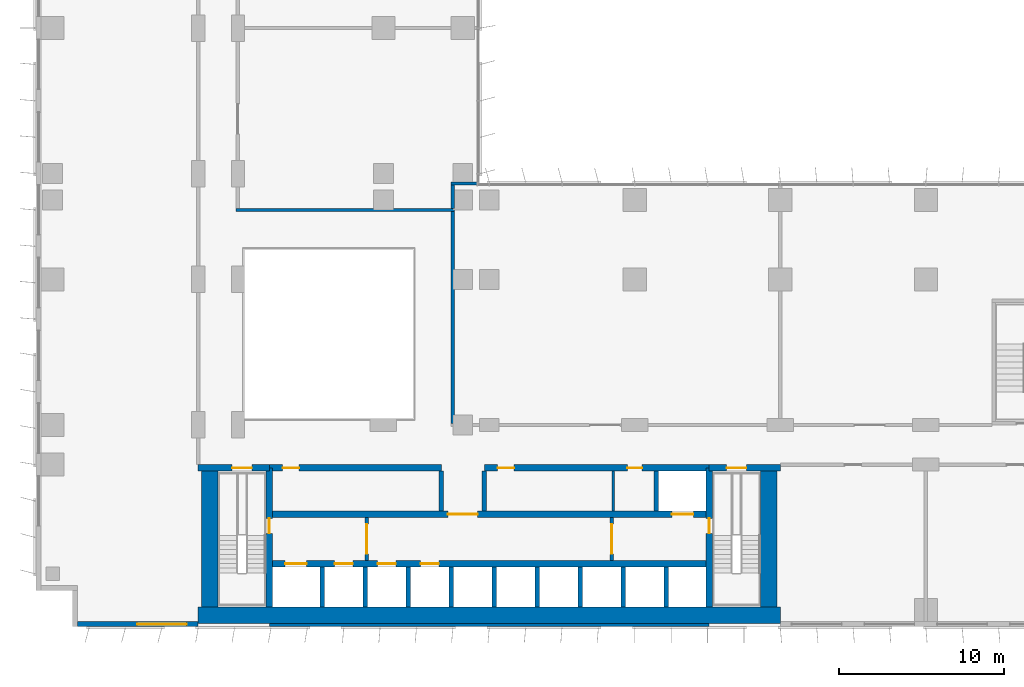
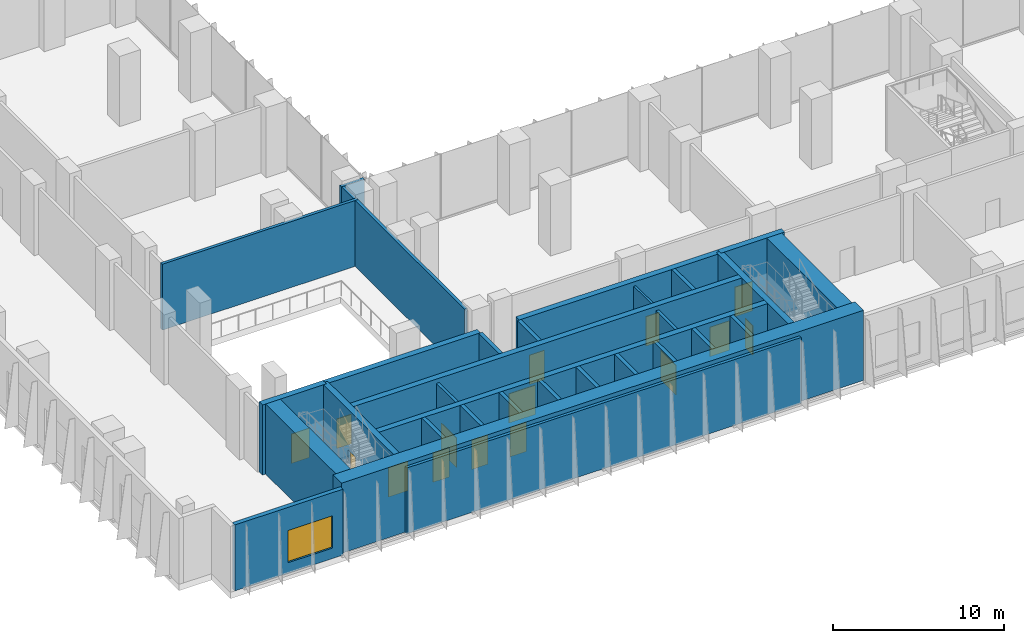
# One storey, part 12 of 23: 32 walls, 15 doors, 1 window, 16 openings.
"""IFC4 building model written with IfcOpenShell, lengths in metres."""

from ifc_helpers import new_model, si_unit, direction, frame, frame_2d, origin, place, context, subcontext, project, spatial, rectangle, extrude, material, layer, layer_set, type_object, element, fill, save


model = new_model("IFC4")

# Units and contexts
model_context = context("Model", 3, precision=1e-05, world=origin(), true_north=direction((0.0, 1.0)))
body_context = subcontext(model_context, "Body", "Model", "MODEL_VIEW")
ifc_project = project(units=[si_unit("LENGTHUNIT", "METRE"), si_unit("AREAUNIT", "SQUARE_METRE"), si_unit("VOLUMEUNIT", "CUBIC_METRE"), si_unit("PLANEANGLEUNIT", "RADIAN"), si_unit("MASSUNIT", "GRAM", prefix="KILO")], contexts=[model_context])

# Site, building, storey
site_placement = place(None, origin())
site = spatial("IfcSite", under=ifc_project, at=site_placement, CompositionType="ELEMENT")
building_placement = place(site_placement, origin())
building = spatial("IfcBuilding", under=site, at=building_placement, Name="Kemantara Hotel Tower", CompositionType="ELEMENT")
storey_placement = place(building_placement, frame((0.0, 0.0, 71.0)))
storey = spatial("IfcBuildingStorey", under=building, at=storey_placement, Name="L16", CompositionType="ELEMENT", Elevation=71.0)

# Wall
ifc_material_1 = material(Name="Bronze anodised aluminium cladding on insulated steel stud wall", Category="steel")
ifc_layer_1 = layer(ifc_material_1, 0.199951171875)
ifc_layer_set_1 = layer_set([ifc_layer_1], Name="Bronze anodised aluminium cladding on insulated steel stud wall")
wall_type_1 = type_object("IfcWallType", Name="BRONZE METAL-CLAD EXTERNAL WALL 200", PredefinedType="STANDARD", material=ifc_layer_set_1)
wall_1_placement = place(storey_placement, frame((14.10009765625, 0.10009765625, 0.0), z_axis=(0.0, 0.0, 1.0), x_axis=(1.0, 0.0, 0.0)))
element("IfcWall", 1, at=wall_1_placement, inside=storey, type_object=wall_type_1, Name="EXTERNAL WALL L16 T1-R01-2", PredefinedType="STANDARD", context=body_context, shape_type="SweptSolid", body=[
    extrude(rectangle(XDim=26.599853515625, YDim=0.199951171875, at=frame_2d((13.2998046875, 0.0))), origin(), (0.0, 0.0, 1.0), 4.699951171875),
])

# Wall, opening, window
ifc_layer_2 = layer(ifc_material_1, 0.300048828125)
ifc_layer_set_2 = layer_set([ifc_layer_2], Name="Bronze anodised aluminium cladding on insulated steel stud wall")
wall_type_2 = type_object("IfcWallType", Name="BRONZE METAL-CLAD EXTERNAL WALL 300", PredefinedType="STANDARD", material=ifc_layer_set_2)
wall_2_placement = place(storey_placement, frame((2.5, 0.14990234375, 0.0), z_axis=(0.0, 0.0, 1.0), x_axis=(1.0, 0.0, 0.0)))
wall_2 = element("IfcWall", 2, at=wall_2_placement, inside=storey, type_object=wall_type_2, Name="EXTERNAL WALL L16 T1-R01", PredefinedType="STANDARD", context=body_context, shape_type="SweptSolid", body=[
    extrude(rectangle(XDim=7.300048828125, YDim=0.300048828125, at=frame_2d((3.64990234375, 0.0))), origin(), (0.0, 0.0, 1.0), 4.699951171875),
])
opening_1_placement = place(wall_2_placement, frame((3.60009765625, 0.0, 0.75)))
opening_1 = element("IfcOpeningElement", 3, at=opening_1_placement, cuts=wall_2, Name="Opening W1", PredefinedType="OPENING", context=body_context, shape_type="SweptSolid", body=[
    extrude(rectangle(XDim=3.0, YDim=2.300048828125, at=frame_2d((1.5, 1.14990234375))), frame((0.0, 0.159912109375, 0.0), z_axis=(0.0, -1.0, 0.0), x_axis=(1.0, 0.0, 0.0)), (0.0, 0.0, 1.0), 0.320068359375),
])
ifc_material_2 = material(Name="Low-E tinted double insulated glass in bronze anodised aluminium frame", Category="aluminium")
window_type = type_object("IfcWindowType", Name="CHICAGO WINDOW, TRIPLE PANEL 3000x2300", PartitioningType="TRIPLE_PANEL_VERTICAL", PredefinedType="WINDOW", material=ifc_material_2)
window_placement = place(opening_1_placement, origin())
window = element("IfcWindow", 4, at=window_placement, inside=storey, type_object=window_type, Name="CHICAGO WINDOW L16 T1-R01-54", OverallHeight=2.300048828125, OverallWidth=3.0, PartitioningType="SINGLE_PANEL", PredefinedType="WINDOW", context=body_context, shape_type="SweptSolid", body=[
    extrude(rectangle(XDim=3.0, YDim=2.300048828125, at=frame_2d((1.5, 1.14990234375))), frame((0.0, 0.030029296875, 0.0), z_axis=(0.0, -1.0, 0.0), x_axis=(1.0, 0.0, 0.0)), (0.0, 0.0, 1.0), 0.06005859375),
])
fill(opening_1, window)

# Walls
ifc_material_3 = material(Name="Concrete fc 70 MPa", Category="concrete")
ifc_layer_3 = layer(ifc_material_3, 1.0)
ifc_layer_set_3 = layer_set([ifc_layer_3], Name="Concrete fc 70 MPa")
wall_type_3 = type_object("IfcWallType", Name="CORE WALL 1000 FC70", PredefinedType="SHEAR", material=ifc_layer_set_3)
wall_3_placement = place(storey_placement, frame((9.800048828125, 0.699951171875, 0.0), z_axis=(0.0, 0.0, 1.0), x_axis=(1.0, 0.0, 0.0)))
element("IfcWall", 5, at=wall_3_placement, inside=storey, type_object=wall_type_3, Name="CORE WALL CW-S", PredefinedType="SHEAR", context=body_context, shape_type="SweptSolid", body=[
    extrude(rectangle(XDim=35.199951171875, YDim=1.0, at=frame_2d((17.60009765625, 0.0))), origin(), (0.0, 0.0, 1.0), 5.0),
])
for number, where, z_axis, x_axis, name in (
    (6, (10.5, 1.199951171875, 0.0), (0.0, 0.0, 1.0), (0.0, 1.0, 0.0), "CORE WALL CW-W"),
    (7, (44.300048828125, 1.199951171875, 0.0), (0.0, 0.0, 1.0), (0.0, 1.0, 0.0), "CORE WALL CW-E"),
):
    element("IfcWall", number, at=place(storey_placement, frame(where, z_axis=z_axis, x_axis=x_axis)), inside=storey, type_object=wall_type_3, Name=name, PredefinedType="SHEAR", context=body_context, shape_type="SweptSolid", body=[
        extrude(rectangle(XDim=8.60009765625, YDim=1.0, at=frame_2d((4.300048828125, 0.0))), origin(), (0.0, 0.0, 1.0), 5.0),
    ])
ifc_layer_4 = layer(ifc_material_3, 0.25)
ifc_layer_set_4 = layer_set([ifc_layer_4], Name="Concrete fc 70 MPa")
wall_type_4 = type_object("IfcWallType", Name="CORE WALL 250 FC70", PredefinedType="SHEAR", material=ifc_layer_set_4)
for number, where, z_axis, x_axis, name in (
    (8, (17.300048828125, 1.199951171875, 0.0), (0.0, 0.0, 1.0), (0.0, 1.0, 0.0), "CORE WALL CW-DS17.3"),
    (9, (19.89990234375, 1.199951171875, 0.0), (0.0, 0.0, 1.0), (0.0, 1.0, 0.0), "CORE WALL CW-DS19.9"),
    (10, (22.5, 1.199951171875, 0.0), (0.0, 0.0, 1.0), (0.0, 1.0, 0.0), "CORE WALL CW-DS22.5"),
    (11, (25.10009765625, 1.199951171875, 0.0), (0.0, 0.0, 1.0), (0.0, 1.0, 0.0), "CORE WALL CW-DS25.1"),
    (12, (27.699951171875, 1.199951171875, 0.0), (0.0, 0.0, 1.0), (0.0, 1.0, 0.0), "CORE WALL CW-DS27.7"),
    (13, (30.300048828125, 1.199951171875, 0.0), (0.0, 0.0, 1.0), (0.0, 1.0, 0.0), "CORE WALL CW-DS30.3"),
    (14, (32.89990234375, 1.199951171875, 0.0), (0.0, 0.0, 1.0), (0.0, 1.0, 0.0), "CORE WALL CW-DS32.9"),
    (15, (35.5, 1.199951171875, 0.0), (0.0, 0.0, 1.0), (0.0, 1.0, 0.0), "CORE WALL CW-DS35.5"),
    (16, (38.10009765625, 1.199951171875, 0.0), (0.0, 0.0, 1.0), (0.0, 1.0, 0.0), "CORE WALL CW-DS38.1"),
):
    element("IfcWall", number, at=place(storey_placement, frame(where, z_axis=z_axis, x_axis=x_axis)), inside=storey, type_object=wall_type_4, Name=name, PredefinedType="SHEAR", context=body_context, shape_type="SweptSolid", body=[
        extrude(rectangle(XDim=2.400146484375, YDim=0.25, at=frame_2d((1.2001953125, 0.0))), origin(), (0.0, 0.0, 1.0), 5.0),
    ])
for number, where, z_axis, x_axis, name in (
    (17, (24.5, 7.0, 0.0), (0.0, 0.0, 1.0), (0.0, 1.0, 0.0), "CORE WALL CW-DN24.5"),
    (18, (27.10009765625, 7.0, 0.0), (0.0, 0.0, 1.0), (0.0, 1.0, 0.0), "CORE WALL CW-DN27.1"),
    (19, (37.5, 7.0, 0.0), (0.0, 0.0, 1.0), (0.0, 1.0, 0.0), "CORE WALL CW-DN37.5"),
):
    element("IfcWall", number, at=place(storey_placement, frame(where, z_axis=z_axis, x_axis=x_axis)), inside=storey, type_object=wall_type_4, Name=name, PredefinedType="SHEAR", context=body_context, shape_type="SweptSolid", body=[
        extrude(rectangle(XDim=2.39990234375, YDim=0.25, at=frame_2d((1.199951171875, 0.0))), origin(), (0.0, 0.0, 1.0), 5.0),
    ])

# Wall, opening, door
ifc_layer_5 = layer(ifc_material_3, 0.39990234375)
ifc_layer_set_5 = layer_set([ifc_layer_5], Name="Concrete fc 70 MPa")
wall_type_5 = type_object("IfcWallType", Name="CORE WALL 400 FC70", PredefinedType="SHEAR", material=ifc_layer_set_5)
wall_4_placement = place(storey_placement, frame((9.800048828125, 9.60009765625, 0.0), z_axis=(0.0, 0.0, 1.0), x_axis=(1.0, 0.0, 0.0)))
wall_4 = element("IfcWall", 20, at=wall_4_placement, inside=storey, type_object=wall_type_5, Name="CORE WALL CW-N1", PredefinedType="SHEAR", context=body_context, shape_type="SweptSolid", body=[
    extrude(rectangle(XDim=4.300048828125, YDim=0.39990234375, at=frame_2d((2.14990234375, 0.0))), origin(), (0.0, 0.0, 1.0), 5.0),
])
opening_2_placement = place(wall_4_placement, frame((2.050048828125, 0.0, 0.0)))
opening_2 = element("IfcOpeningElement", 21, at=opening_2_placement, cuts=wall_4, Name="Opening C12-ST1-C", PredefinedType="OPENING", context=body_context, shape_type="SweptSolid", body=[
    extrude(rectangle(XDim=1.199951171875, YDim=2.10009765625, at=frame_2d((0.60009765625, 1.050048828125))), frame((0.0, 0.2099609375, 0.0), z_axis=(0.0, -1.0, 0.0), x_axis=(1.0, 0.0, 0.0)), (0.0, 0.0, 1.0), 0.419921875),
])
ifc_material_4 = material(Name="Steel fire door", Category="steel")
door_type_1 = type_object("IfcDoorType", Name="Fire door FD90 1200 x 2100", OperationType="NOTDEFINED", PredefinedType="DOOR", material=ifc_material_4)
door_1_placement = place(opening_2_placement, frame((1.199951171875, 0.0, 0.0), z_axis=(0.0, 0.0, 1.0), x_axis=(-1.0, 0.0, 0.0)))
door_1 = element("IfcDoor", 22, at=door_1_placement, inside=storey, type_object=door_type_1, Name="Stair ST1 door to corridor", OperationType="SINGLE_SWING_LEFT", OverallHeight=2.10009765625, OverallWidth=1.199951171875, PredefinedType="DOOR", context=body_context, shape_type="SweptSolid", body=[
    extrude(rectangle(XDim=1.199951171875, YDim=2.10009765625, at=frame_2d((0.60009765625, 1.050048828125))), frame((0.0, 0.02490234375, 0.0), z_axis=(0.0, -1.0, 0.0), x_axis=(1.0, 0.0, 0.0)), (0.0, 0.0, 1.0), 0.050048828125),
])
fill(opening_2, door_1)

wall_5_placement = place(storey_placement, frame((40.699951171875, 9.60009765625, 0.0), z_axis=(0.0, 0.0, 1.0), x_axis=(1.0, 0.0, 0.0)))
wall_5 = element("IfcWall", 23, at=wall_5_placement, inside=storey, type_object=wall_type_5, Name="CORE WALL CW-N2", PredefinedType="SHEAR", context=body_context, shape_type="SweptSolid", body=[
    extrude(rectangle(XDim=4.300048828125, YDim=0.39990234375, at=frame_2d((2.14990234375, 0.0))), origin(), (0.0, 0.0, 1.0), 5.0),
])
opening_3_placement = place(wall_5_placement, frame((1.050048828125, 0.0, 0.0)))
opening_3 = element("IfcOpeningElement", 24, at=opening_3_placement, cuts=wall_5, Name="Opening C12-ST2-C", PredefinedType="OPENING", context=body_context, shape_type="SweptSolid", body=[
    extrude(rectangle(XDim=1.199951171875, YDim=2.10009765625, at=frame_2d((0.60009765625, 1.050048828125))), frame((0.0, 0.2099609375, 0.0), z_axis=(0.0, -1.0, 0.0), x_axis=(1.0, 0.0, 0.0)), (0.0, 0.0, 1.0), 0.419921875),
])
door_2_placement = place(opening_3_placement, frame((1.199951171875, 0.0, 0.0), z_axis=(0.0, 0.0, 1.0), x_axis=(-1.0, 0.0, 0.0)))
door_2 = element("IfcDoor", 25, at=door_2_placement, inside=storey, type_object=door_type_1, Name="Stair ST2 door to corridor", OperationType="SINGLE_SWING_RIGHT", OverallHeight=2.10009765625, OverallWidth=1.199951171875, PredefinedType="DOOR", context=body_context, shape_type="SweptSolid", body=[
    extrude(rectangle(XDim=1.199951171875, YDim=2.10009765625, at=frame_2d((0.60009765625, 1.050048828125))), frame((0.0, 0.02490234375, 0.0), z_axis=(0.0, -1.0, 0.0), x_axis=(1.0, 0.0, 0.0)), (0.0, 0.0, 1.0), 0.050048828125),
])
fill(opening_3, door_2)

wall_6_placement = place(storey_placement, frame((14.10009765625, 9.60009765625, 0.0), z_axis=(0.0, 0.0, 1.0), x_axis=(1.0, 0.0, 0.0)))
wall_6 = element("IfcWall", 26, at=wall_6_placement, inside=storey, type_object=wall_type_5, Name="CORE WALL CW-NN1", PredefinedType="SHEAR", context=body_context, shape_type="SweptSolid", body=[
    extrude(rectangle(XDim=10.39990234375, YDim=0.39990234375, at=frame_2d((5.199951171875, 0.0))), origin(), (0.0, 0.0, 1.0), 5.0),
])
opening_4_placement = place(wall_6_placement, frame((0.800048828125, 0.0, 0.0)))
opening_4 = element("IfcOpeningElement", 27, at=opening_4_placement, cuts=wall_6, Name="Opening C12-R-NW1", PredefinedType="OPENING", context=body_context, shape_type="SweptSolid", body=[
    extrude(rectangle(XDim=1.0, YDim=2.10009765625, at=frame_2d((0.5, 1.050048828125))), frame((0.0, 0.2099609375, 0.0), z_axis=(0.0, -1.0, 0.0), x_axis=(1.0, 0.0, 0.0)), (0.0, 0.0, 1.0), 0.419921875),
])
door_type_2 = type_object("IfcDoorType", Name="Fire door FD60 1000 x 2100", OperationType="NOTDEFINED", PredefinedType="DOOR", material=ifc_material_4)
door_3_placement = place(opening_4_placement, frame((1.0, 0.0, 0.0), z_axis=(0.0, 0.0, 1.0), x_axis=(-1.0, 0.0, 0.0)))
door_3 = element("IfcDoor", 28, at=door_3_placement, inside=storey, type_object=door_type_2, Name="Air Handling Plant Room door", OperationType="SINGLE_SWING_RIGHT", OverallHeight=2.10009765625, OverallWidth=1.0, PredefinedType="DOOR", context=body_context, shape_type="SweptSolid", body=[
    extrude(rectangle(XDim=1.0, YDim=2.10009765625, at=frame_2d((0.5, 1.050048828125))), frame((0.0, 0.02490234375, 0.0), z_axis=(0.0, -1.0, 0.0), x_axis=(1.0, 0.0, 0.0)), (0.0, 0.0, 1.0), 0.050048828125),
])
fill(opening_4, door_3)

# Wall, openings, doors
wall_7_placement = place(storey_placement, frame((27.10009765625, 9.60009765625, 0.0), z_axis=(0.0, 0.0, 1.0), x_axis=(1.0, 0.0, 0.0)))
wall_7 = element("IfcWall", 29, at=wall_7_placement, inside=storey, type_object=wall_type_5, Name="CORE WALL CW-NN2", PredefinedType="SHEAR", context=body_context, shape_type="SweptSolid", body=[
    extrude(rectangle(XDim=13.599853515625, YDim=0.39990234375, at=frame_2d((6.7998046875, 0.0))), origin(), (0.0, 0.0, 1.0), 5.0),
])
opening_5_placement = place(wall_7_placement, frame((0.800048828125, 0.0, 0.0)))
opening_5 = element("IfcOpeningElement", 30, at=opening_5_placement, cuts=wall_7, Name="Opening C12-R-NE1", PredefinedType="OPENING", context=body_context, shape_type="SweptSolid", body=[
    extrude(rectangle(XDim=1.0, YDim=2.10009765625, at=frame_2d((0.5, 1.050048828125))), frame((0.0, 0.2099609375, 0.0), z_axis=(0.0, -1.0, 0.0), x_axis=(1.0, 0.0, 0.0)), (0.0, 0.0, 1.0), 0.419921875),
])
opening_6_placement = place(wall_7_placement, frame((8.64990234375, 0.0, 0.0)))
opening_6 = element("IfcOpeningElement", 31, at=opening_6_placement, cuts=wall_7, Name="Opening C12-R-NE2", PredefinedType="OPENING", context=body_context, shape_type="SweptSolid", body=[
    extrude(rectangle(XDim=0.89990234375, YDim=2.10009765625, at=frame_2d((0.449951171875, 1.050048828125))), frame((0.0, 0.2099609375, 0.0), z_axis=(0.0, -1.0, 0.0), x_axis=(1.0, 0.0, 0.0)), (0.0, 0.0, 1.0), 0.419921875),
])
door_4_placement = place(opening_5_placement, frame((1.0, 0.0, 0.0), z_axis=(0.0, 0.0, 1.0), x_axis=(-1.0, 0.0, 0.0)))
door_4 = element("IfcDoor", 32, at=door_4_placement, inside=storey, type_object=door_type_2, Name="Pump And Tank Room door", OperationType="SINGLE_SWING_RIGHT", OverallHeight=2.10009765625, OverallWidth=1.0, PredefinedType="DOOR", context=body_context, shape_type="SweptSolid", body=[
    extrude(rectangle(XDim=1.0, YDim=2.10009765625, at=frame_2d((0.5, 1.050048828125))), frame((0.0, 0.02490234375, 0.0), z_axis=(0.0, -1.0, 0.0), x_axis=(1.0, 0.0, 0.0)), (0.0, 0.0, 1.0), 0.050048828125),
])
fill(opening_5, door_4)
door_type_3 = type_object("IfcDoorType", Name="Fire door FD60 900 x 2100", OperationType="NOTDEFINED", PredefinedType="DOOR", material=ifc_material_4)
door_5_placement = place(opening_6_placement, frame((0.89990234375, 0.0, 0.0), z_axis=(0.0, 0.0, 1.0), x_axis=(-1.0, 0.0, 0.0)))
door_5 = element("IfcDoor", 33, at=door_5_placement, inside=storey, type_object=door_type_3, Name="Plumbing Riser Room door", OperationType="SINGLE_SWING_LEFT", OverallHeight=2.10009765625, OverallWidth=0.89990234375, PredefinedType="DOOR", context=body_context, shape_type="SweptSolid", body=[
    extrude(rectangle(XDim=0.89990234375, YDim=2.10009765625, at=frame_2d((0.449951171875, 1.050048828125))), frame((0.0, 0.02490234375, 0.0), z_axis=(0.0, -1.0, 0.0), x_axis=(1.0, 0.0, 0.0)), (0.0, 0.0, 1.0), 0.050048828125),
])
fill(opening_6, door_5)

wall_8_placement = place(storey_placement, frame((14.10009765625, 3.800048828125, 0.0), z_axis=(0.0, 0.0, 1.0), x_axis=(1.0, 0.0, 0.0)))
wall_8 = element("IfcWall", 34, at=wall_8_placement, inside=storey, type_object=wall_type_5, Name="CORE WALL CW-L1", PredefinedType="SHEAR", context=body_context, shape_type="SweptSolid", body=[
    extrude(rectangle(XDim=26.599853515625, YDim=0.39990234375, at=frame_2d((13.2998046875, 0.0))), origin(), (0.0, 0.0, 1.0), 5.0),
])
opening_7_placement = place(wall_8_placement, frame((0.949951171875, 0.0, 0.0)))
opening_7 = element("IfcOpeningElement", 35, at=opening_7_placement, cuts=wall_8, Name="Opening C12-LD-FF1", PredefinedType="OPENING", context=body_context, shape_type="SweptSolid", body=[
    extrude(rectangle(XDim=1.300048828125, YDim=2.10009765625, at=frame_2d((0.64990234375, 1.050048828125))), frame((0.0, 0.2099609375, 0.0), z_axis=(0.0, -1.0, 0.0), x_axis=(1.0, 0.0, 0.0)), (0.0, 0.0, 1.0), 0.419921875),
])
opening_8_placement = place(wall_8_placement, frame((3.949951171875, 0.0, 0.0)))
opening_8 = element("IfcOpeningElement", 36, at=opening_8_placement, cuts=wall_8, Name="Opening C12-LD-SV1", PredefinedType="OPENING", context=body_context, shape_type="SweptSolid", body=[
    extrude(rectangle(XDim=1.10009765625, YDim=2.10009765625, at=frame_2d((0.550048828125, 1.050048828125))), frame((0.0, 0.2099609375, 0.0), z_axis=(0.0, -1.0, 0.0), x_axis=(1.0, 0.0, 0.0)), (0.0, 0.0, 1.0), 0.419921875),
])
opening_9_placement = place(wall_8_placement, frame((6.550048828125, 0.0, 0.0)))
opening_9 = element("IfcOpeningElement", 37, at=opening_9_placement, cuts=wall_8, Name="Opening C12-LD-SV2", PredefinedType="OPENING", context=body_context, shape_type="SweptSolid", body=[
    extrude(rectangle(XDim=1.10009765625, YDim=2.10009765625, at=frame_2d((0.550048828125, 1.050048828125))), frame((0.0, 0.2099609375, 0.0), z_axis=(0.0, -1.0, 0.0), x_axis=(1.0, 0.0, 0.0)), (0.0, 0.0, 1.0), 0.419921875),
])
opening_10_placement = place(wall_8_placement, frame((9.14990234375, 0.0, 0.0)))
opening_10 = element("IfcOpeningElement", 38, at=opening_10_placement, cuts=wall_8, Name="Opening C12-LD-SV3", PredefinedType="OPENING", context=body_context, shape_type="SweptSolid", body=[
    extrude(rectangle(XDim=1.10009765625, YDim=2.10009765625, at=frame_2d((0.550048828125, 1.050048828125))), frame((0.0, 0.2099609375, 0.0), z_axis=(0.0, -1.0, 0.0), x_axis=(1.0, 0.0, 0.0)), (0.0, 0.0, 1.0), 0.419921875),
])
ifc_material_5 = material(Name="Stainless steel lift door", Category="steel")
door_type_4 = type_object("IfcDoorType", Name="Lift landing door 1100 x 2100 FD60", OperationType="DOUBLE_DOOR_SLIDING", PredefinedType="DOOR", material=ifc_material_5)
door_6_placement = place(opening_8_placement, origin())
door_6 = element("IfcDoor", 39, at=door_6_placement, inside=storey, type_object=door_type_4, Name="Lift SV1 landing door", OperationType="DOUBLE_DOOR_SLIDING", OverallHeight=2.10009765625, OverallWidth=1.10009765625, PredefinedType="DOOR", context=body_context, shape_type="SweptSolid", body=[
    extrude(rectangle(XDim=1.10009765625, YDim=2.10009765625, at=frame_2d((0.550048828125, 1.050048828125))), frame((0.0, 0.02490234375, 0.0), z_axis=(0.0, -1.0, 0.0), x_axis=(1.0, 0.0, 0.0)), (0.0, 0.0, 1.0), 0.050048828125),
])
fill(opening_8, door_6)
door_7_placement = place(opening_9_placement, origin())
door_7 = element("IfcDoor", 40, at=door_7_placement, inside=storey, type_object=door_type_4, Name="Lift SV2 landing door", OperationType="DOUBLE_DOOR_SLIDING", OverallHeight=2.10009765625, OverallWidth=1.10009765625, PredefinedType="DOOR", context=body_context, shape_type="SweptSolid", body=[
    extrude(rectangle(XDim=1.10009765625, YDim=2.10009765625, at=frame_2d((0.550048828125, 1.050048828125))), frame((0.0, 0.02490234375, 0.0), z_axis=(0.0, -1.0, 0.0), x_axis=(1.0, 0.0, 0.0)), (0.0, 0.0, 1.0), 0.050048828125),
])
fill(opening_9, door_7)
door_8_placement = place(opening_10_placement, origin())
door_8 = element("IfcDoor", 41, at=door_8_placement, inside=storey, type_object=door_type_4, Name="Lift SV3 landing door", OperationType="DOUBLE_DOOR_SLIDING", OverallHeight=2.10009765625, OverallWidth=1.10009765625, PredefinedType="DOOR", context=body_context, shape_type="SweptSolid", body=[
    extrude(rectangle(XDim=1.10009765625, YDim=2.10009765625, at=frame_2d((0.550048828125, 1.050048828125))), frame((0.0, 0.02490234375, 0.0), z_axis=(0.0, -1.0, 0.0), x_axis=(1.0, 0.0, 0.0)), (0.0, 0.0, 1.0), 0.050048828125),
])
fill(opening_10, door_8)
door_type_5 = type_object("IfcDoorType", Name="Lift landing door 1300 x 2100 FD90", OperationType="DOUBLE_DOOR_SLIDING", PredefinedType="DOOR", material=ifc_material_5)
door_9_placement = place(opening_7_placement, origin())
door_9 = element("IfcDoor", 42, at=door_9_placement, inside=storey, type_object=door_type_5, Name="Lift FF1 landing door", OperationType="DOUBLE_DOOR_SLIDING", OverallHeight=2.10009765625, OverallWidth=1.300048828125, PredefinedType="DOOR", context=body_context, shape_type="SweptSolid", body=[
    extrude(rectangle(XDim=1.300048828125, YDim=2.10009765625, at=frame_2d((0.64990234375, 1.050048828125))), frame((0.0, 0.02490234375, 0.0), z_axis=(0.0, -1.0, 0.0), x_axis=(1.0, 0.0, 0.0)), (0.0, 0.0, 1.0), 0.050048828125),
])
fill(opening_7, door_9)

wall_9_placement = place(storey_placement, frame((14.10009765625, 6.800048828125, 0.0), z_axis=(0.0, 0.0, 1.0), x_axis=(1.0, 0.0, 0.0)))
wall_9 = element("IfcWall", 43, at=wall_9_placement, inside=storey, type_object=wall_type_5, Name="CORE WALL CW-L2", PredefinedType="SHEAR", context=body_context, shape_type="SweptSolid", body=[
    extrude(rectangle(XDim=26.599853515625, YDim=0.39990234375, at=frame_2d((13.2998046875, 0.0))), origin(), (0.0, 0.0, 1.0), 5.0),
])
opening_11_placement = place(wall_9_placement, frame((10.800048828125, 0.0, 0.0)))
opening_11 = element("IfcOpeningElement", 44, at=opening_11_placement, cuts=wall_9, Name="Opening C12-VL", PredefinedType="OPENING", context=body_context, shape_type="SweptSolid", body=[
    extrude(rectangle(XDim=1.800048828125, YDim=2.10009765625, at=frame_2d((0.89990234375, 1.050048828125))), frame((0.0, 0.2099609375, 0.0), z_axis=(0.0, -1.0, 0.0), x_axis=(1.0, 0.0, 0.0)), (0.0, 0.0, 1.0), 0.419921875),
])
opening_12_placement = place(wall_9_placement, frame((24.35009765625, 0.0, 0.0)))
opening_12 = element("IfcOpeningElement", 45, at=opening_12_placement, cuts=wall_9, Name="Opening C12-LD-FF2", PredefinedType="OPENING", context=body_context, shape_type="SweptSolid", body=[
    extrude(rectangle(XDim=1.300048828125, YDim=2.10009765625, at=frame_2d((0.64990234375, 1.050048828125))), frame((0.0, 0.2099609375, 0.0), z_axis=(0.0, -1.0, 0.0), x_axis=(1.0, 0.0, 0.0)), (0.0, 0.0, 1.0), 0.419921875),
])
door_type_6 = type_object("IfcDoorType", Name="Fire door pair FD60 1800 x 2100", OperationType="DOUBLE_DOOR_SINGLE_SWING", PredefinedType="DOOR", material=ifc_material_4)
door_10_placement = place(opening_11_placement, frame((1.800048828125, 0.0, 0.0), z_axis=(0.0, 0.0, 1.0), x_axis=(-1.0, 0.0, 0.0)))
door_10 = element("IfcDoor", 46, at=door_10_placement, inside=storey, type_object=door_type_6, Name="Lift lobby entry door", OperationType="DOUBLE_DOOR_SINGLE_SWING", OverallHeight=2.10009765625, OverallWidth=1.800048828125, PredefinedType="DOOR", context=body_context, shape_type="SweptSolid", body=[
    extrude(rectangle(XDim=1.800048828125, YDim=2.10009765625, at=frame_2d((0.89990234375, 1.050048828125))), frame((0.0, 0.02490234375, 0.0), z_axis=(0.0, -1.0, 0.0), x_axis=(1.0, 0.0, 0.0)), (0.0, 0.0, 1.0), 0.050048828125),
])
fill(opening_11, door_10)
door_11_placement = place(opening_12_placement, origin())
door_11 = element("IfcDoor", 47, at=door_11_placement, inside=storey, type_object=door_type_5, Name="Lift FF2 landing door", OperationType="DOUBLE_DOOR_SLIDING", OverallHeight=2.10009765625, OverallWidth=1.300048828125, PredefinedType="DOOR", context=body_context, shape_type="SweptSolid", body=[
    extrude(rectangle(XDim=1.300048828125, YDim=2.10009765625, at=frame_2d((0.64990234375, 1.050048828125))), frame((0.0, 0.02490234375, 0.0), z_axis=(0.0, -1.0, 0.0), x_axis=(1.0, 0.0, 0.0)), (0.0, 0.0, 1.0), 0.050048828125),
])
fill(opening_12, door_11)

# Wall, opening, door
wall_10_placement = place(storey_placement, frame((14.10009765625, 1.199951171875, 0.0), z_axis=(0.0, 0.0, 1.0), x_axis=(0.0, 1.0, 0.0)))
wall_10 = element("IfcWall", 48, at=wall_10_placement, inside=storey, type_object=wall_type_5, Name="CORE WALL CW-ST1E", PredefinedType="SHEAR", context=body_context, shape_type="SweptSolid", body=[
    extrude(rectangle(XDim=8.400146484375, YDim=0.39990234375, at=frame_2d((4.2001953125, 0.0))), origin(), (0.0, 0.0, 1.0), 5.0),
])
opening_13_placement = place(wall_10_placement, frame((4.449951171875, 0.0, 0.0)))
opening_13 = element("IfcOpeningElement", 49, at=opening_13_placement, cuts=wall_10, Name="Opening C12-ST1-F", PredefinedType="OPENING", context=body_context, shape_type="SweptSolid", body=[
    extrude(rectangle(XDim=0.89990234375, YDim=2.10009765625, at=frame_2d((0.449951171875, 1.050048828125))), frame((0.0, 0.2099609375, 0.0), z_axis=(0.0, -1.0, 0.0), x_axis=(1.0, 0.0, 0.0)), (0.0, 0.0, 1.0), 0.419921875),
])
door_type_7 = type_object("IfcDoorType", Name="Fire door FD90 900 x 2100", OperationType="NOTDEFINED", PredefinedType="DOOR", material=ifc_material_4)
door_12_placement = place(opening_13_placement, origin())
door_12 = element("IfcDoor", 50, at=door_12_placement, inside=storey, type_object=door_type_7, Name="Stair ST1 door to firefighting lobby", OperationType="SINGLE_SWING_RIGHT", OverallHeight=2.10009765625, OverallWidth=0.89990234375, PredefinedType="DOOR", context=body_context, shape_type="SweptSolid", body=[
    extrude(rectangle(XDim=0.89990234375, YDim=2.10009765625, at=frame_2d((0.449951171875, 1.050048828125))), frame((0.0, 0.02490234375, 0.0), z_axis=(0.0, -1.0, 0.0), x_axis=(1.0, 0.0, 0.0)), (0.0, 0.0, 1.0), 0.050048828125),
])
fill(opening_13, door_12)

wall_11_placement = place(storey_placement, frame((40.699951171875, 1.199951171875, 0.0), z_axis=(0.0, 0.0, 1.0), x_axis=(0.0, 1.0, 0.0)))
wall_11 = element("IfcWall", 51, at=wall_11_placement, inside=storey, type_object=wall_type_5, Name="CORE WALL CW-ST2W", PredefinedType="SHEAR", context=body_context, shape_type="SweptSolid", body=[
    extrude(rectangle(XDim=8.400146484375, YDim=0.39990234375, at=frame_2d((4.2001953125, 0.0))), origin(), (0.0, 0.0, 1.0), 5.0),
])
opening_14_placement = place(wall_11_placement, frame((4.449951171875, 0.0, 0.0)))
opening_14 = element("IfcOpeningElement", 52, at=opening_14_placement, cuts=wall_11, Name="Opening C12-ST2-F", PredefinedType="OPENING", context=body_context, shape_type="SweptSolid", body=[
    extrude(rectangle(XDim=0.89990234375, YDim=2.10009765625, at=frame_2d((0.449951171875, 1.050048828125))), frame((0.0, 0.2099609375, 0.0), z_axis=(0.0, -1.0, 0.0), x_axis=(1.0, 0.0, 0.0)), (0.0, 0.0, 1.0), 0.419921875),
])
door_13_placement = place(opening_14_placement, frame((0.89990234375, 0.0, 0.0), z_axis=(0.0, 0.0, 1.0), x_axis=(-1.0, 0.0, 0.0)))
door_13 = element("IfcDoor", 53, at=door_13_placement, inside=storey, type_object=door_type_7, Name="Stair ST2 door to firefighting lobby", OperationType="SINGLE_SWING_LEFT", OverallHeight=2.10009765625, OverallWidth=0.89990234375, PredefinedType="DOOR", context=body_context, shape_type="SweptSolid", body=[
    extrude(rectangle(XDim=0.89990234375, YDim=2.10009765625, at=frame_2d((0.449951171875, 1.050048828125))), frame((0.0, 0.02490234375, 0.0), z_axis=(0.0, -1.0, 0.0), x_axis=(1.0, 0.0, 0.0)), (0.0, 0.0, 1.0), 0.050048828125),
])
fill(opening_14, door_13)

# Walls
ifc_material_6 = material(Name="Clay brick masonry", Category="masonry")
ifc_layer_6 = layer(ifc_material_6, 0.199951171875)
ifc_layer_set_6 = layer_set([ifc_layer_6], Name="Clay brick masonry")
wall_type_6 = type_object("IfcWallType", Name="FIRE-RATED CLAY BRICK WALL 200 EI 120", PredefinedType="PARTITIONING", material=ifc_layer_set_6)
wall_12_placement = place(storey_placement, frame((25.10009765625, 26.800048828125, 0.0), z_axis=(0.0, 0.0, 1.0), x_axis=(1.0, 0.0, 0.0)))
element("IfcWall", 54, at=wall_12_placement, inside=storey, type_object=wall_type_6, Name="FIRE WALL", PredefinedType="PARTITIONING", context=body_context, shape_type="SweptSolid", body=[
    extrude(rectangle(XDim=1.5498046875, YDim=0.199951171875, at=frame_2d((0.77490234375, 0.0))), origin(), (0.0, 0.0, 1.0), 4.699951171875),
])
wall_13_placement = place(storey_placement, frame((25.199951171875, 25.300048828125, 0.0), z_axis=(0.0, 0.0, 1.0), x_axis=(0.0, 1.0, 0.0)))
element("IfcWall", 55, at=wall_13_placement, inside=storey, type_object=wall_type_6, Name="FIRE WALL", PredefinedType="PARTITIONING", context=body_context, shape_type="SweptSolid", body=[
    extrude(rectangle(XDim=1.39990234375, YDim=0.199951171875, at=frame_2d((0.699951171875, 0.0))), origin(), (0.0, 0.0, 1.0), 4.699951171875),
])
ifc_material_7 = material(Name="Fire-rated gypsum board partition")
ifc_layer_7 = layer(ifc_material_7, 0.199951171875)
ifc_layer_set_7 = layer_set([ifc_layer_7], Name="Fire-rated gypsum board partition")
wall_type_7 = type_object("IfcWallType", Name="FIRE-RATED GYPSUM PARTITION 200 EI 60", PredefinedType="PARTITIONING", material=ifc_layer_set_7)
wall_14_placement = place(storey_placement, frame((12.10009765625, 25.199951171875, 0.0), z_axis=(0.0, 0.0, 1.0), x_axis=(1.0, 0.0, 0.0)))
element("IfcWall", 56, at=wall_14_placement, inside=storey, type_object=wall_type_7, Name="FIRE-RATED PARTITION", PredefinedType="PARTITIONING", context=body_context, shape_type="SweptSolid", body=[
    extrude(rectangle(XDim=13.199951171875, YDim=0.199951171875, at=frame_2d((6.60009765625, 0.0))), origin(), (0.0, 0.0, 1.0), 4.699951171875),
])
wall_15_placement = place(storey_placement, frame((25.199951171875, 12.300048828125, 0.0), z_axis=(0.0, 0.0, 1.0), x_axis=(0.0, 1.0, 0.0)))
element("IfcWall", 57, at=wall_15_placement, inside=storey, type_object=wall_type_7, Name="FIRE-RATED PARTITION", PredefinedType="PARTITIONING", context=body_context, shape_type="SweptSolid", body=[
    extrude(rectangle(XDim=12.800048828125, YDim=0.199951171875, at=frame_2d((6.39990234375, 0.0))), origin(), (0.0, 0.0, 1.0), 4.699951171875),
])
ifc_material_8 = material(Name="Gypsum board partition")
ifc_layer_8 = layer(ifc_material_8, 0.14990234375)
ifc_layer_set_8 = layer_set([ifc_layer_8], Name="Gypsum board partition")
wall_type_8 = type_object("IfcWallType", Name="Gypsum board partition 150 mm", PredefinedType="PARTITIONING", material=ifc_layer_set_8)
wall_16_placement = place(storey_placement, frame((34.89990234375, 7.0, 0.0), z_axis=(0.0, 0.0, 1.0), x_axis=(0.0, 1.0, 0.0)))
element("IfcWall", 58, at=wall_16_placement, inside=storey, type_object=wall_type_8, Name="Core room partition", PredefinedType="PARTITIONING", context=body_context, shape_type="SweptSolid", body=[
    extrude(rectangle(XDim=2.39990234375, YDim=0.14990234375, at=frame_2d((1.199951171875, 0.0))), origin(), (0.0, 0.0, 1.0), 4.699951171875),
])

# Wall, opening, door
ifc_material_9 = material(Name="Gypsum board shaft wall")
ifc_layer_9 = layer(ifc_material_9, 0.199951171875)
ifc_layer_set_9 = layer_set([ifc_layer_9], Name="Gypsum board shaft wall")
wall_type_9 = type_object("IfcWallType", Name="Gypsum board shaft wall 200 mm", PredefinedType="PARTITIONING", material=ifc_layer_set_9)
wall_17_placement = place(storey_placement, frame((20.0, 4.0, 0.0), z_axis=(0.0, 0.0, 1.0), x_axis=(0.0, 1.0, 0.0)))
wall_17 = element("IfcWall", 59, at=wall_17_placement, inside=storey, type_object=wall_type_9, Name="Firefighting lobby partition west", PredefinedType="PARTITIONING", context=body_context, shape_type="SweptSolid", body=[
    extrude(rectangle(XDim=2.60009765625, YDim=0.199951171875, at=frame_2d((1.300048828125, 0.0))), origin(), (0.0, 0.0, 1.0), 4.699951171875),
])
opening_15_placement = place(wall_17_placement, frame((0.39990234375, 0.0, 0.0)))
opening_15 = element("IfcOpeningElement", 60, at=opening_15_placement, cuts=wall_17, Name="Opening C12-FFW", PredefinedType="OPENING", context=body_context, shape_type="SweptSolid", body=[
    extrude(rectangle(XDim=1.800048828125, YDim=2.10009765625, at=frame_2d((0.89990234375, 1.050048828125))), frame((0.0, 0.10986328125, 0.0), z_axis=(0.0, -1.0, 0.0), x_axis=(1.0, 0.0, 0.0)), (0.0, 0.0, 1.0), 0.219970703125),
])
door_14_placement = place(opening_15_placement, origin())
door_14 = element("IfcDoor", 61, at=door_14_placement, inside=storey, type_object=door_type_6, Name="Firefighting lobby door west", OperationType="DOUBLE_DOOR_SINGLE_SWING", OverallHeight=2.10009765625, OverallWidth=1.800048828125, PredefinedType="DOOR", context=body_context, shape_type="SweptSolid", body=[
    extrude(rectangle(XDim=1.800048828125, YDim=2.10009765625, at=frame_2d((0.89990234375, 1.050048828125))), frame((0.0, 0.02490234375, 0.0), z_axis=(0.0, -1.0, 0.0), x_axis=(1.0, 0.0, 0.0)), (0.0, 0.0, 1.0), 0.050048828125),
])
fill(opening_15, door_14)

wall_18_placement = place(storey_placement, frame((34.800048828125, 4.0, 0.0), z_axis=(0.0, 0.0, 1.0), x_axis=(0.0, 1.0, 0.0)))
wall_18 = element("IfcWall", 62, at=wall_18_placement, inside=storey, type_object=wall_type_9, Name="Firefighting lobby partition east", PredefinedType="PARTITIONING", context=body_context, shape_type="SweptSolid", body=[
    extrude(rectangle(XDim=2.60009765625, YDim=0.199951171875, at=frame_2d((1.300048828125, 0.0))), origin(), (0.0, 0.0, 1.0), 4.699951171875),
])
opening_16_placement = place(wall_18_placement, frame((0.39990234375, 0.0, 0.0)))
opening_16 = element("IfcOpeningElement", 63, at=opening_16_placement, cuts=wall_18, Name="Opening C12-FFE", PredefinedType="OPENING", context=body_context, shape_type="SweptSolid", body=[
    extrude(rectangle(XDim=1.800048828125, YDim=2.10009765625, at=frame_2d((0.89990234375, 1.050048828125))), frame((0.0, 0.10986328125, 0.0), z_axis=(0.0, -1.0, 0.0), x_axis=(1.0, 0.0, 0.0)), (0.0, 0.0, 1.0), 0.219970703125),
])
door_15_placement = place(opening_16_placement, frame((1.800048828125, 0.0, 0.0), z_axis=(0.0, 0.0, 1.0), x_axis=(-1.0, 0.0, 0.0)))
door_15 = element("IfcDoor", 64, at=door_15_placement, inside=storey, type_object=door_type_6, Name="Firefighting lobby door east", OperationType="DOUBLE_DOOR_SINGLE_SWING", OverallHeight=2.10009765625, OverallWidth=1.800048828125, PredefinedType="DOOR", context=body_context, shape_type="SweptSolid", body=[
    extrude(rectangle(XDim=1.800048828125, YDim=2.10009765625, at=frame_2d((0.89990234375, 1.050048828125))), frame((0.0, 0.02490234375, 0.0), z_axis=(0.0, -1.0, 0.0), x_axis=(1.0, 0.0, 0.0)), (0.0, 0.0, 1.0), 0.050048828125),
])
fill(opening_16, door_15)

save(model, "model.ifc")
